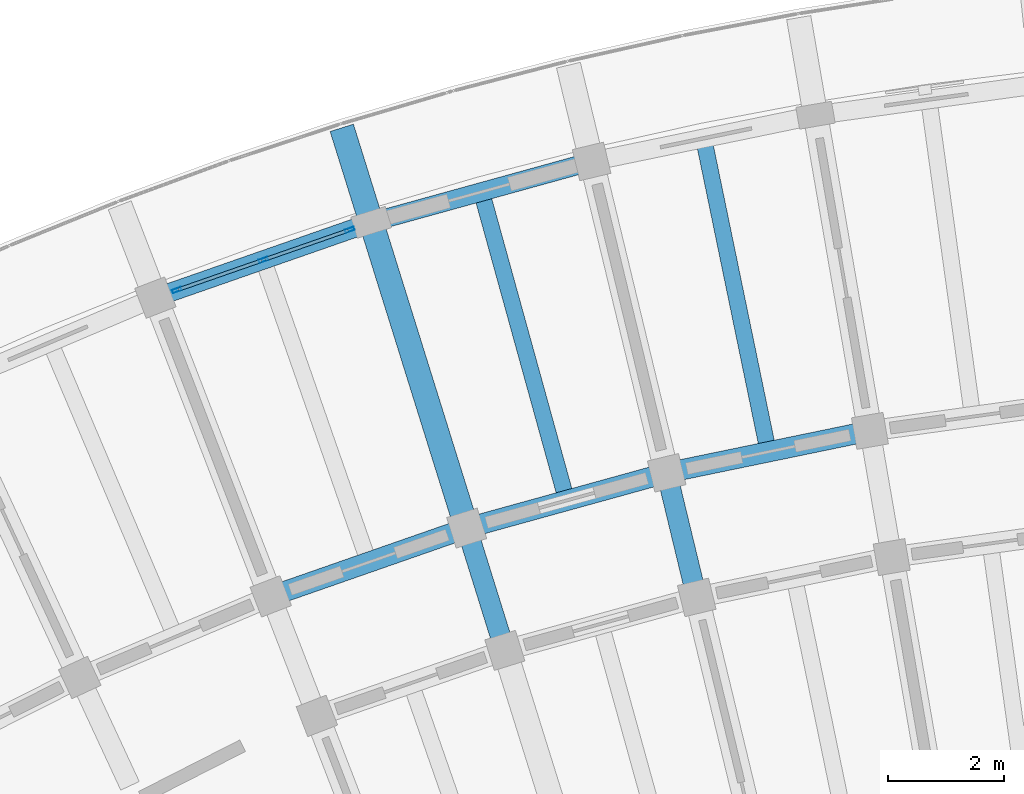
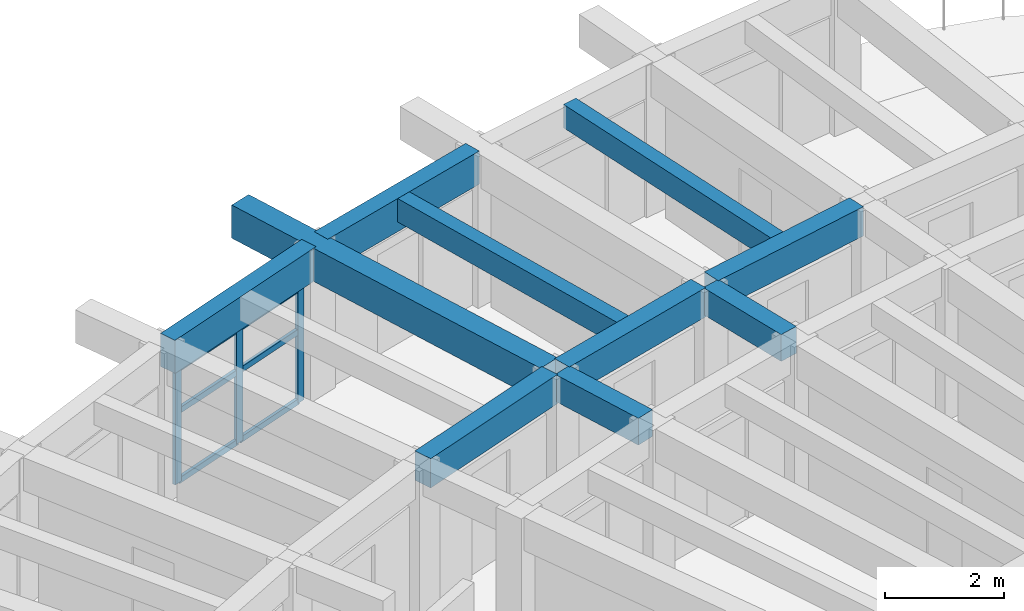
# One storey, part 14 of 78: 10 beams, 9 members, 1 element without a shape of its own.
"""IFC4 building model written with IfcOpenShell, lengths in metres."""

from ifc_helpers import new_model, si_unit, direction, frame, origin, origin_2d, place, context, subcontext, project, spatial, rectangle, hollow_rectangle, extrude, material, material_profile, profile_set, type_object, element, aggregate, save


model = new_model("IFC4")

# Units and contexts
model_context = context("Model", 3, precision=1e-05, world=origin(), true_north=direction((0.0, 1.0)))
body_context = subcontext(model_context, "Body", "Model", "MODEL_VIEW")
ifc_project = project(units=[si_unit("LENGTHUNIT", "METRE"), si_unit("AREAUNIT", "SQUARE_METRE"), si_unit("VOLUMEUNIT", "CUBIC_METRE"), si_unit("PLANEANGLEUNIT", "RADIAN"), si_unit("MASSUNIT", "GRAM", prefix="KILO")], contexts=[model_context])

# Site, building, storey
site_placement = place(None, origin())
site = spatial("IfcSite", under=ifc_project, at=site_placement, CompositionType="ELEMENT")
building_placement = place(site_placement, origin())
building = spatial("IfcBuilding", under=site, at=building_placement, Name="Tanwirah Colonnade Gardens", CompositionType="ELEMENT")
storey_placement = place(building_placement, frame((0.0, 0.0, 22.280029296875)))
storey = spatial("IfcBuildingStorey", under=building, at=storey_placement, Name="L06", CompositionType="ELEMENT", Elevation=22.280029296875)

# Beams
ifc_material_1 = material(Name="Precast concrete C40/50", Category="concrete")
ifc_material_profile_1 = material_profile(ifc_material_1, rectangle(XDim=0.35009765625, YDim=0.550048828125, at=origin_2d()), Name="PC-BM 350x550")
ifc_profile_set_1 = profile_set([ifc_material_profile_1], Name="Precast concrete C40/50")
beam_type_1 = type_object("IfcBeamType", Name="BM-PC350A", PredefinedType="BEAM", material=ifc_profile_set_1)
beam_1_placement = place(storey_placement, frame((52.811767578125, 110.75146484375, 2.8349609375), z_axis=(-0.234364199778, 0.972148868159, 0.0), x_axis=(-0.972148868159, -0.234364199778, 0.0)))
element("IfcBeam", 1, at=beam_1_placement, inside=storey, type_object=beam_type_1, Name="Block A L06 Corridor Tie Beam 2", PredefinedType="BEAM", context=body_context, shape_type="SweptSolid", body=[
    extrude(rectangle(XDim=0.35009765625, YDim=0.550048828125, at=origin_2d()), origin(), (0.0, 0.0, 1.0), 1.900146484375),
])
beam_2_placement = place(storey_placement, frame((49.507568359375, 109.838623046875, 2.8349609375), z_axis=(-0.297857918398, 0.954610213882, 0.0), x_axis=(-0.954610213882, -0.297857918398, 0.0)))
element("IfcBeam", 2, at=beam_2_placement, inside=storey, type_object=beam_type_1, Name="Block A L06 Corridor Tie Beam 3", PredefinedType="BEAM", context=body_context, shape_type="SweptSolid", body=[
    extrude(rectangle(XDim=0.35009765625, YDim=0.550048828125, at=origin_2d()), origin(), (0.0, 0.0, 1.0), 1.89990234375),
])
ifc_material_profile_2 = material_profile(ifc_material_1, rectangle(XDim=0.35009765625, YDim=0.60009765625, at=origin_2d()), Name="PC-BM 350x600")
ifc_profile_set_2 = profile_set([ifc_material_profile_2], Name="Precast concrete C40/50")
beam_type_2 = type_object("IfcBeamType", Name="BM-PC350B", PredefinedType="BEAM", material=ifc_profile_set_2)
beam_3_placement = place(storey_placement, frame((55.673828125, 113.4345703125, 2.81005859375), z_axis=(-0.979335599813, -0.202241892146, 0.0), x_axis=(0.202241892146, -0.979335599813, 0.0)))
element("IfcBeam", 3, at=beam_3_placement, inside=storey, type_object=beam_type_2, Name="Block A L06 Circumferential Beam 1-R2", PredefinedType="BEAM", context=body_context, shape_type="SweptSolid", body=[
    extrude(rectangle(XDim=0.35009765625, YDim=0.60009765625, at=origin_2d()), origin(), (0.0, 0.0, 1.0), 3.262939453125),
])
beam_4_placement = place(storey_placement, frame((52.186767578125, 112.704345703125, 2.81005859375), z_axis=(-0.9638953302, -0.266281415833, 0.0), x_axis=(0.266281415833, -0.9638953302, 0.0)))
element("IfcBeam", 4, at=beam_4_placement, inside=storey, type_object=beam_type_2, Name="Block A L06 Circumferential Beam 2-R2", PredefinedType="BEAM", context=body_context, shape_type="SweptSolid", body=[
    extrude(rectangle(XDim=0.35009765625, YDim=0.60009765625, at=origin_2d()), origin(), (0.0, 0.0, 1.0), 3.26318359375),
])
beam_5_placement = place(storey_placement, frame((48.755126953125, 111.74609375, 2.81005859375), z_axis=(-0.944231021702, -0.329283734272, 0.0), x_axis=(0.329283734272, -0.944231021702, 0.0)))
element("IfcBeam", 5, at=beam_5_placement, inside=storey, type_object=beam_type_2, Name="Block A L06 Circumferential Beam 3-R2", PredefinedType="BEAM", context=body_context, shape_type="SweptSolid", body=[
    extrude(rectangle(XDim=0.35009765625, YDim=0.60009765625, at=origin_2d()), origin(), (0.0, 0.0, 1.0), 3.262939453125),
])
ifc_material_2 = material(Name="Precast concrete C45/55", Category="concrete")
ifc_material_profile_3 = material_profile(ifc_material_2, rectangle(XDim=0.419921875, YDim=0.679931640625, at=origin_2d()), Name="PC-BM 420x680")
ifc_profile_set_3 = profile_set([ifc_material_profile_3], Name="Precast concrete C45/55")
beam_type_3 = type_object("IfcBeamType", Name="BM-PC420", PredefinedType="BEAM", material=ifc_profile_set_3)
beam_6_placement = place(storey_placement, frame((48.852294921875, 111.938720703125, 2.77001953125), z_axis=(-0.297957513373, 0.954579132511, 0.0), x_axis=(-0.954579132511, -0.297957513373, 0.0)))
element("IfcBeam", 6, at=beam_6_placement, inside=storey, type_object=beam_type_3, Name="Block A L06 Outer Radial Precast Girder 3", PredefinedType="BEAM", context=body_context, shape_type="SweptSolid", body=[
    extrude(rectangle(XDim=0.419921875, YDim=0.679931640625, at=origin_2d()), origin(), (0.0, 0.0, 1.0), 7.050048828125),
])

# Curtain wall, members
ifc_material_3 = material(Name="Bronze-anodised aluminium and solar-control low-E glass", Category="aluminium")
curtain_wall_type = type_object("IfcCurtainWallType", Name="CW-LOB", PredefinedType="NOTDEFINED", material=ifc_material_3)
curtain_wall_placement = place(storey_placement, origin())
curtain_wall = element("IfcCurtainWall", 7, at=curtain_wall_placement, inside=storey, type_object=curtain_wall_type, Name="Curtain Wall CW-A-L06-OUT-03", PredefinedType="NOTDEFINED")
ifc_material_4 = material(Name="Bronze-anodised aluminium", Category="aluminium")
ifc_material_profile_4 = material_profile(ifc_material_4, hollow_rectangle(XDim=0.06005859375, YDim=0.159912109375, WallThickness=0.00390625, at=origin_2d()), Name="CW-MUL 60x160x4")
ifc_profile_set_4 = profile_set([ifc_material_profile_4], Name="Bronze-anodised aluminium")
member_type_1 = type_object("IfcMemberType", Name="CWM-60x160", PredefinedType="MULLION", material=ifc_profile_set_4)
member_1_placement = place(storey_placement, frame((46.889892578125, 116.917236328125, 0.0), z_axis=(0.0, 0.0, 1.0), x_axis=(0.329233165694, -0.944248655073, 0.0)))
member_1 = element("IfcMember", 8, at=member_1_placement, type_object=member_type_1, Name="CW-LOB mullion 1", PredefinedType="MULLION", context=body_context, shape_type="SweptSolid", body=[
    extrude(hollow_rectangle(XDim=0.06005859375, YDim=0.159912109375, WallThickness=0.00390625, at=origin_2d()), origin(), (0.0, 0.0, 1.0), 2.35498046875),
])
member_2_placement = place(storey_placement, frame((45.40478515625, 116.3994140625, 0.0), z_axis=(0.0, 0.0, 1.0), x_axis=(0.329233165694, -0.944248655073, 0.0)))
member_2 = element("IfcMember", 9, at=member_2_placement, type_object=member_type_1, Name="CW-LOB mullion 2", PredefinedType="MULLION", context=body_context, shape_type="SweptSolid", body=[
    extrude(hollow_rectangle(XDim=0.06005859375, YDim=0.159912109375, WallThickness=0.00390625, at=origin_2d()), origin(), (0.0, 0.0, 1.0), 2.35498046875),
])
member_3_placement = place(storey_placement, frame((43.919677734375, 115.881591796875, 0.0), z_axis=(0.0, 0.0, 1.0), x_axis=(0.329233165694, -0.944248655073, 0.0)))
member_3 = element("IfcMember", 10, at=member_3_placement, type_object=member_type_1, Name="CW-LOB mullion 3", PredefinedType="MULLION", context=body_context, shape_type="SweptSolid", body=[
    extrude(hollow_rectangle(XDim=0.06005859375, YDim=0.159912109375, WallThickness=0.00390625, at=origin_2d()), origin(), (0.0, 0.0, 1.0), 2.35498046875),
])
ifc_material_profile_5 = material_profile(ifc_material_4, hollow_rectangle(XDim=0.06005859375, YDim=0.1201171875, WallThickness=0.00390625, at=origin_2d()), Name="CW-TRN 60x120x4")
ifc_profile_set_5 = profile_set([ifc_material_profile_5], Name="Bronze-anodised aluminium")
member_type_2 = type_object("IfcMemberType", Name="CWT-60x120", PredefinedType="USERDEFINED", material=ifc_profile_set_5)
member_4_placement = place(storey_placement, frame((46.861572265625, 116.907470703125, 0.030029296875), z_axis=(-0.94425269288, -0.329221584938, 0.0), x_axis=(0.329221584938, -0.94425269288, 0.0)))
member_4 = element("IfcMember", 11, at=member_4_placement, type_object=member_type_2, Name="CW-LOB transom 1.1", ObjectType="TRANSOM", PredefinedType="USERDEFINED", context=body_context, shape_type="SweptSolid", body=[
    extrude(hollow_rectangle(XDim=0.06005859375, YDim=0.1201171875, WallThickness=0.00390625, at=origin_2d()), origin(), (0.0, 0.0, 1.0), 1.5126953125),
])
member_5_placement = place(storey_placement, frame((46.861572265625, 116.907470703125, 1.4599609375), z_axis=(-0.94425269288, -0.329221584938, 0.0), x_axis=(0.329221584938, -0.94425269288, 0.0)))
member_5 = element("IfcMember", 12, at=member_5_placement, type_object=member_type_2, Name="CW-LOB transom 1.2", ObjectType="TRANSOM", PredefinedType="USERDEFINED", context=body_context, shape_type="SweptSolid", body=[
    extrude(hollow_rectangle(XDim=0.06005859375, YDim=0.1201171875, WallThickness=0.00390625, at=origin_2d()), origin(), (0.0, 0.0, 1.0), 1.5126953125),
])
member_6_placement = place(storey_placement, frame((46.861572265625, 116.907470703125, 2.324951171875), z_axis=(-0.94425269288, -0.329221584938, 0.0), x_axis=(0.329221584938, -0.94425269288, 0.0)))
member_6 = element("IfcMember", 13, at=member_6_placement, type_object=member_type_2, Name="CW-LOB transom 1.3", ObjectType="TRANSOM", PredefinedType="USERDEFINED", context=body_context, shape_type="SweptSolid", body=[
    extrude(hollow_rectangle(XDim=0.06005859375, YDim=0.1201171875, WallThickness=0.00390625, at=origin_2d()), origin(), (0.0, 0.0, 1.0), 1.5126953125),
])
member_7_placement = place(storey_placement, frame((45.37646484375, 116.3896484375, 0.030029296875), z_axis=(-0.94425269288, -0.329221584938, 0.0), x_axis=(0.329221584938, -0.94425269288, 0.0)))
member_7 = element("IfcMember", 14, at=member_7_placement, type_object=member_type_2, Name="CW-LOB transom 2.1", ObjectType="TRANSOM", PredefinedType="USERDEFINED", context=body_context, shape_type="SweptSolid", body=[
    extrude(hollow_rectangle(XDim=0.06005859375, YDim=0.1201171875, WallThickness=0.00390625, at=origin_2d()), origin(), (0.0, 0.0, 1.0), 1.5126953125),
])
member_8_placement = place(storey_placement, frame((45.37646484375, 116.3896484375, 1.4599609375), z_axis=(-0.94425269288, -0.329221584938, 0.0), x_axis=(0.329221584938, -0.94425269288, 0.0)))
member_8 = element("IfcMember", 15, at=member_8_placement, type_object=member_type_2, Name="CW-LOB transom 2.2", ObjectType="TRANSOM", PredefinedType="USERDEFINED", context=body_context, shape_type="SweptSolid", body=[
    extrude(hollow_rectangle(XDim=0.06005859375, YDim=0.1201171875, WallThickness=0.00390625, at=origin_2d()), origin(), (0.0, 0.0, 1.0), 1.5126953125),
])
member_9_placement = place(storey_placement, frame((45.37646484375, 116.3896484375, 2.324951171875), z_axis=(-0.94425269288, -0.329221584938, 0.0), x_axis=(0.329221584938, -0.94425269288, 0.0)))
member_9 = element("IfcMember", 16, at=member_9_placement, type_object=member_type_2, Name="CW-LOB transom 2.3", ObjectType="TRANSOM", PredefinedType="USERDEFINED", context=body_context, shape_type="SweptSolid", body=[
    extrude(hollow_rectangle(XDim=0.06005859375, YDim=0.1201171875, WallThickness=0.00390625, at=origin_2d()), origin(), (0.0, 0.0, 1.0), 1.5126953125),
])
aggregate(curtain_wall, [member_1, member_2, member_3, member_4, member_5, member_6, member_7, member_8, member_9])

# Beams
ifc_material_profile_6 = material_profile(ifc_material_1, rectangle(XDim=0.280029296875, YDim=0.47998046875, at=origin_2d()), Name="PC-JST 280x480")
ifc_profile_set_6 = profile_set([ifc_material_profile_6], Name="Precast concrete C40/50")
beam_type_4 = type_object("IfcBeamType", Name="JST-PC280", PredefinedType="JOIST", material=ifc_profile_set_6)
beam_7_placement = place(storey_placement, frame((54.0458984375, 113.2509765625, 2.869873046875), z_axis=(-0.202235688429, 0.979336880918, 0.0), x_axis=(-0.979336880918, -0.202235688429, 0.0)))
element("IfcBeam", 17, at=beam_7_placement, inside=storey, type_object=beam_type_4, Name="Block A L06 Precast Floor Joist 1", PredefinedType="JOIST", context=body_context, shape_type="SweptSolid", body=[
    extrude(rectangle(XDim=0.280029296875, YDim=0.47998046875, at=origin_2d()), origin(), (0.0, 0.0, 1.0), 5.259765625),
])
beam_8_placement = place(storey_placement, frame((50.57421875, 112.413818359375, 2.869873046875), z_axis=(-0.266281476085, 0.963895313555, 0.0), x_axis=(-0.963895313555, -0.266281476085, 0.0)))
element("IfcBeam", 18, at=beam_8_placement, inside=storey, type_object=beam_type_4, Name="Block A L06 Precast Floor Joist 2", PredefinedType="JOIST", context=body_context, shape_type="SweptSolid", body=[
    extrude(rectangle(XDim=0.280029296875, YDim=0.47998046875, at=origin_2d()), origin(), (0.0, 0.0, 1.0), 5.260009765625),
])
ifc_material_profile_7 = material_profile(ifc_material_2, rectangle(XDim=0.320068359375, YDim=0.679931640625, at=origin_2d()), Name="PC-SP 320x680")
ifc_profile_set_7 = profile_set([ifc_material_profile_7], Name="Precast concrete C45/55")
beam_type_5 = type_object("IfcBeamType", Name="SP-PC320", PredefinedType="SPANDREL", material=ifc_profile_set_7)
for number, where, z_axis, x_axis, name in (
    (19, (50.897705078125, 118.05126953125, 2.77001953125), (-0.963888380927, -0.266306569792, 0.0), (0.266306569792, -0.963888380927, 0.0), "Block A L06 Circumferential Beam 2-R3"),
    (20, (47.11669921875, 116.996337890625, 2.77001953125), (-0.944236700093, -0.329267450863, 0.0), (0.329267450863, -0.944236700093, 0.0), "Block A L06 Circumferential Beam 3-R3"),
):
    element("IfcBeam", number, at=place(storey_placement, frame(where, z_axis=z_axis, x_axis=x_axis)), inside=storey, type_object=beam_type_5, Name=name, PredefinedType="SPANDREL", context=body_context, shape_type="SweptSolid", body=[
        extrude(rectangle(XDim=0.320068359375, YDim=0.679931640625, at=origin_2d()), origin(), (0.0, 0.0, 1.0), 3.625732421875),
    ])

save(model, "model.ifc")
